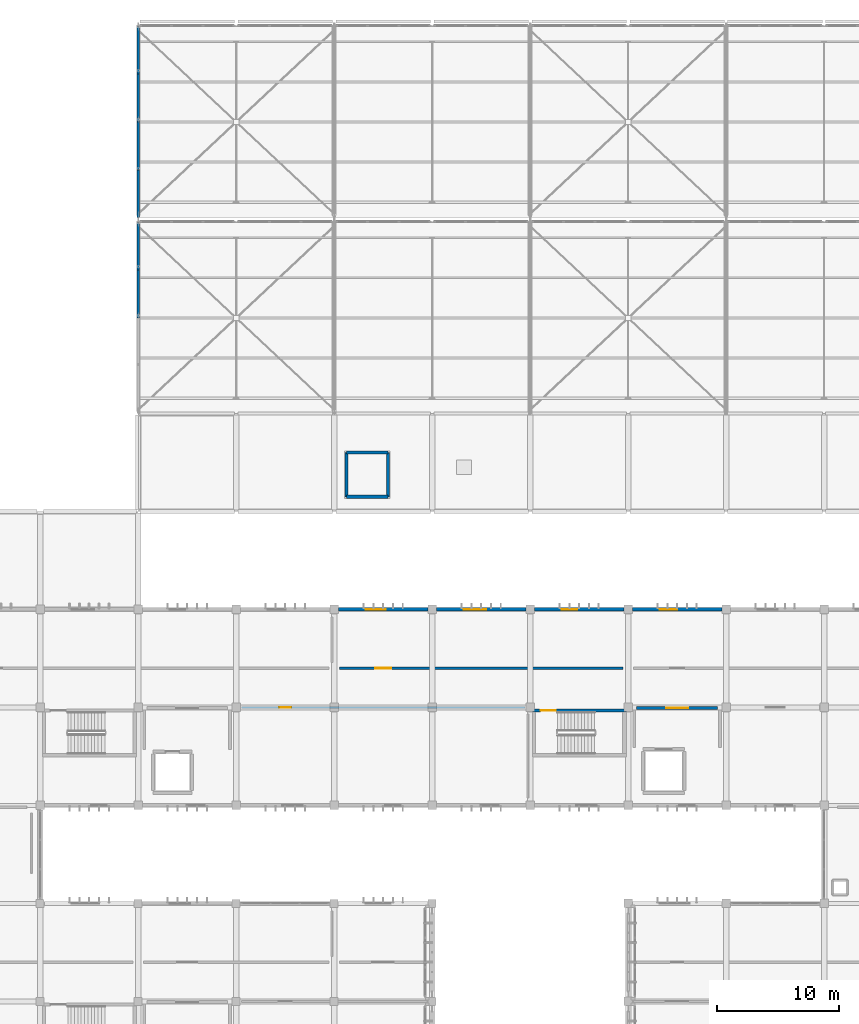
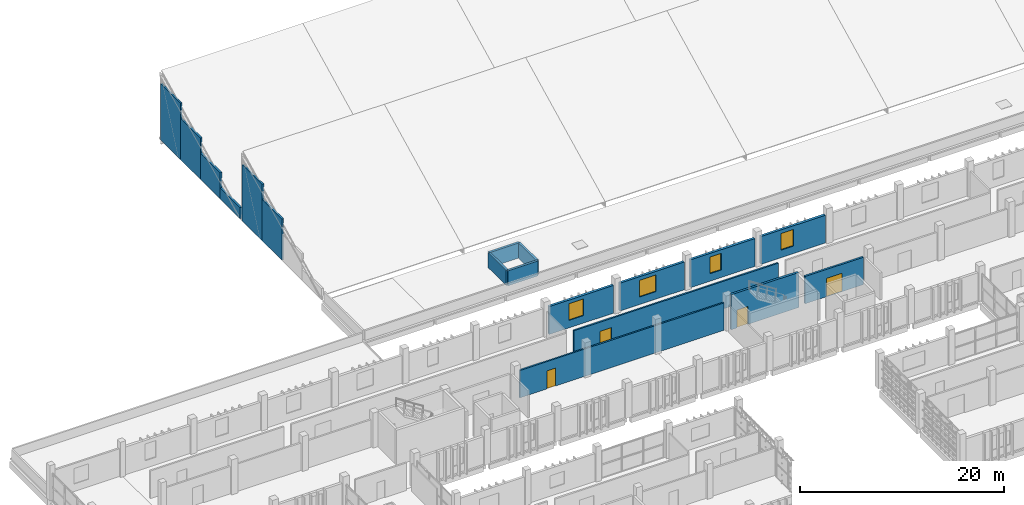
# One storey, part 117 of 137: 18 walls, 4 doors, 4 windows, 8 openings.
"""IFC4 building model written with IfcOpenShell, lengths in metres."""

import ifcopenshell
import ifcopenshell.guid

model = None  # the IFC model being written
_history = None  # IfcOwnerHistory: only IFC2X3 demands one
_inside = {}  # id of a spatial element -> (the spatial element, [elements in it])
_under = {}  # id of a project, library or spatial element -> (it, [spatial elements below it])
_declared = {}  # id of a project -> (the project, [libraries it declares])
_typed = {}  # id of a type object -> (the type object, [elements of that type])
_made_of = {}  # id of a material, layer set ... -> (it, [elements and type objects made of it])


def new_model(schema):
    """Start an empty IFC model of exactly this schema.

    Asked for "IFC4X3", IfcOpenShell would pick the latest addendum, in which some entities
    have other attributes; the version numbers below select the first issue.
    IFC2X3 requires an IfcOwnerHistory on every rooted entity: one is made here for all.
    """
    global model, _history
    if schema == "IFC4X3":
        model = ifcopenshell.file(schema_version=(4, 3, 0, 0))
    else:
        model = ifcopenshell.file(schema=schema)
    _inside.clear()
    _under.clear()
    _declared.clear()
    _typed.clear()
    _made_of.clear()
    _history = None
    if model.schema == "IFC2X3":
        org = make("IfcOrganization", Name="unknown")
        user = make(
            "IfcPersonAndOrganization",
            ThePerson=make("IfcPerson", FamilyName="unknown"),
            TheOrganization=org,
        )
        app = make(
            "IfcApplication",
            ApplicationDeveloper=org,
            Version="unknown",
            ApplicationFullName="unknown",
            ApplicationIdentifier="unknown",
        )
        _history = make(
            "IfcOwnerHistory",
            OwningUser=user,
            OwningApplication=app,
            ChangeAction="ADDED",
            CreationDate=0,
        )
    return model


def make(cls, **values):
    """One entity of the class cls with the attributes given. An attribute that is None is left unset."""
    return model.create_entity(
        cls, **{name: value for name, value in values.items() if value is not None}
    )


def rooted(cls, **values):
    """An entity with a GlobalId (a new one), such as an element, a storey or a relation."""
    return make(cls, GlobalId=ifcopenshell.guid.new(), OwnerHistory=_history, **values)


def si_unit(unit_type, name, prefix=None):
    """IfcSIUnit, for example si_unit("LENGTHUNIT", "METRE", prefix="MILLI")."""
    return make("IfcSIUnit", UnitType=unit_type, Prefix=prefix, Name=name)


def assignment(units):
    """IfcUnitAssignment: the units of a project."""
    return None if units is None else make("IfcUnitAssignment", Units=units)


def point(xyz):
    """IfcCartesianPoint."""
    return None if xyz is None else make("IfcCartesianPoint", Coordinates=xyz)


def direction(xyz):
    """IfcDirection."""
    return None if xyz is None else make("IfcDirection", DirectionRatios=xyz)


def frame(location, z_axis=None, x_axis=None):
    """IfcAxis2Placement3D, a coordinate frame: its origin and axes. An axis left out is left unset."""
    return make(
        "IfcAxis2Placement3D",
        Location=point(location),
        Axis=direction(z_axis),
        RefDirection=direction(x_axis),
    )


def frame_2d(location, x_axis=None):
    """IfcAxis2Placement2D, a coordinate frame in the plane: its origin and x axis."""
    return make(
        "IfcAxis2Placement2D", Location=point(location), RefDirection=direction(x_axis)
    )


def origin():
    """The frame at (0, 0, 0) with its axes left unset."""
    return frame((0.0, 0.0, 0.0))


def place(relative_to, where):
    """IfcLocalPlacement: puts the frame where relative to a parent placement (None: the world)."""
    return make(
        "IfcLocalPlacement", PlacementRelTo=relative_to, RelativePlacement=where
    )


def context(
    kind, dimensions, precision=None, world=None, true_north=None, identifier=None
):
    """IfcGeometricRepresentationContext, for example the 3D "Model" context."""
    return make(
        "IfcGeometricRepresentationContext",
        ContextIdentifier=identifier,
        ContextType=kind,
        CoordinateSpaceDimension=dimensions,
        Precision=precision,
        WorldCoordinateSystem=world,
        TrueNorth=true_north,
    )


def subcontext(parent, identifier, kind, view, scale=None):
    """IfcGeometricRepresentationSubContext, for example "Body" below "Model"."""
    return make(
        "IfcGeometricRepresentationSubContext",
        ContextIdentifier=identifier,
        ContextType=kind,
        ParentContext=parent,
        TargetScale=scale,
        TargetView=view,
    )


def project(units=None, contexts=None):
    """IfcProject with its units and contexts."""
    return rooted(
        "IfcProject",
        Name="project",
        RepresentationContexts=contexts,
        UnitsInContext=assignment(units),
    )


def spatial(cls, under=None, at=None, **own):
    """A site, building, storey or space (cls), placed at a placement, below another one or the project."""
    s = rooted(cls, ObjectPlacement=at, **own)
    if under is not None:
        _under.setdefault(under.id(), (under, []))[1].append(s)
    return s


def profile(cls, at=None, kind="AREA", **sizes):
    """A parametric profile (cls). Its sizes go by their IFC names, for example OverallWidth=200.0."""
    return make(cls, ProfileType=kind, Position=at, **sizes)


def rectangle(**sizes):
    """IfcRectangleProfileDef."""
    return profile("IfcRectangleProfileDef", **sizes)


def extrude(swept, where, along, depth):
    """IfcExtrudedAreaSolid: the profile swept, set in the frame where, extruded along a direction by depth."""
    return make(
        "IfcExtrudedAreaSolid",
        SweptArea=swept,
        Position=where,
        ExtrudedDirection=direction(along),
        Depth=depth,
    )


def shape(context_of_items, identifier, shape_type, items):
    """IfcShapeRepresentation: the items that make up one representation, for example the "Body"."""
    return make(
        "IfcShapeRepresentation",
        ContextOfItems=context_of_items,
        RepresentationIdentifier=identifier,
        RepresentationType=shape_type,
        Items=items,
    )


def material(Name=None, Category=None):
    """IfcMaterial."""
    return make("IfcMaterial", Name=Name, Category=Category)


def layer(
    of_material, thickness, ventilated=None, Name=None, Category=None, Priority=None
):
    """IfcMaterialLayer: one layer of a wall or slab, of a material (None: an air gap)."""
    return make(
        "IfcMaterialLayer",
        Material=of_material,
        LayerThickness=thickness,
        IsVentilated=ventilated,
        Name=Name,
        Category=Category,
        Priority=Priority,
    )


def layer_set(layers, Name=None):
    """IfcMaterialLayerSet."""
    return make("IfcMaterialLayerSet", MaterialLayers=layers, LayerSetName=Name)


def made_of(thing, what):
    """Note that an element or type object is made of a material, layer set ...; save() writes the relation."""
    if what is not None:
        _made_of.setdefault(what.id(), (what, []))[1].append(thing)
    return thing


def type_object(cls, material=None, **own):
    """A type object (cls), such as IfcWallType, which elements share."""
    return made_of(rooted(cls, **own), material)


def element(
    cls,
    number,
    at=None,
    inside=None,
    cuts=None,
    type_object=None,
    material=None,
    context=None,
    identifier="Body",
    shape_type=None,
    held_by="IfcProductDefinitionShape",
    body=None,
    shapes=None,
    **own,
):
    """One element of the class cls, such as IfcWall. Its Tag is "e" and its number.

    at: its placement. inside: the storey or other place that contains it. cuts: it is an
    opening in that element (IfcRelVoidsElement). A single representation is given by context,
    identifier, shape_type and body (its items); several are given by shapes. held_by: the class
    of the entity that holds the representations. save() writes the other relations.
    """
    e = rooted(cls, Tag="e%d" % number, ObjectPlacement=at, **own)
    if body is not None:
        shapes = [shape(context, identifier, shape_type, body)]
    if shapes is not None:
        e.Representation = make(held_by, Representations=shapes)
    if inside is not None:
        _inside.setdefault(inside.id(), (inside, []))[1].append(e)
    if cuts is not None:
        rooted(
            "IfcRelVoidsElement", RelatingBuildingElement=cuts, RelatedOpeningElement=e
        )
    if type_object is not None:
        _typed.setdefault(type_object.id(), (type_object, []))[1].append(e)
    return made_of(e, material)


def fill(opening, filler):
    """IfcRelFillsElement: the door or window that sits in an opening."""
    return rooted(
        "IfcRelFillsElement",
        RelatingOpeningElement=opening,
        RelatedBuildingElement=filler,
    )


def aggregate(whole, parts):
    """IfcRelAggregates: a whole, such as a stair, and the parts it consists of."""
    return rooted("IfcRelAggregates", RelatingObject=whole, RelatedObjects=parts)


def save(model, path):
    """Write the relations noted so far, then the file.

    IfcRelAggregates (storeys below a building ...), IfcRelContainedInSpatialStructure (elements
    in a storey), IfcRelDefinesByType, IfcRelAssociatesMaterial and IfcRelDeclares: one each for
    every whole, place, type object, material and project.
    """
    for whole, parts in _under.values():
        aggregate(whole, parts)
    for where, things in _inside.values():
        rooted(
            "IfcRelContainedInSpatialStructure",
            RelatedElements=things,
            RelatingStructure=where,
        )
    for kind, things in _typed.values():
        rooted("IfcRelDefinesByType", RelatedObjects=things, RelatingType=kind)
    for what, things in _made_of.values():
        rooted("IfcRelAssociatesMaterial", RelatedObjects=things, RelatingMaterial=what)
    for by, libraries in _declared.values():
        rooted("IfcRelDeclares", RelatingContext=by, RelatedDefinitions=libraries)
    model.write(path)


model = new_model("IFC4")

# Units and contexts
model_context = context("Model", 3, precision=1e-05, world=origin(), true_north=direction((0.0, 1.0)))
body_context = subcontext(model_context, "Body", "Model", "MODEL_VIEW")
ifc_project = project(units=[si_unit("LENGTHUNIT", "METRE"), si_unit("AREAUNIT", "SQUARE_METRE"), si_unit("VOLUMEUNIT", "CUBIC_METRE"), si_unit("PLANEANGLEUNIT", "RADIAN"), si_unit("MASSUNIT", "GRAM", prefix="KILO")], contexts=[model_context])

# Site, building, storey
site_placement = place(None, origin())
site = spatial("IfcSite", under=ifc_project, at=site_placement, CompositionType="ELEMENT")
building_placement = place(site_placement, origin())
building = spatial("IfcBuilding", under=site, at=building_placement, Name="Jelvoka-Kovrelna Polytechnic", CompositionType="ELEMENT")
storey_placement = place(building_placement, frame((0.0, 0.0, 9.60009765625)))
storey = spatial("IfcBuildingStorey", under=building, at=storey_placement, Name="L03", CompositionType="ELEMENT", Elevation=9.60009765625)

# Wall, opening, door
ifc_material_1 = material(Name="Concrete C35/45", Category="concrete")
ifc_layer_1 = layer(ifc_material_1, 0.219970703125)
ifc_layer_set_1 = layer_set([ifc_layer_1], Name="Concrete C35/45")
wall_type_1 = type_object("IfcWallType", Name="Wall_Compartment_220", PredefinedType="PARTITIONING", material=ifc_layer_set_1)
wall_1_placement = place(storey_placement, frame((128.699951171875, 63.949951171875, 0.0), z_axis=(0.0, 0.0, 1.0), x_axis=(1.0, 0.0, 0.0)))
wall_1 = element("IfcWall", 1, at=wall_1_placement, inside=storey, type_object=wall_type_1, Name="L03 interior wall 0653", PredefinedType="PARTITIONING", context=body_context, shape_type="SweptSolid", body=[
    extrude(rectangle(XDim=6.60009765625, YDim=0.219970703125, at=frame_2d((3.300048828125, 0.0))), origin(), (0.0, 0.0, 1.0), 3.27490234375),
])
opening_1_placement = place(wall_1_placement, frame((2.39990234375, 0.0, 0.0)))
opening_1 = element("IfcOpeningElement", 2, at=opening_1_placement, cuts=wall_1, Name="Opening FD-L03-112", PredefinedType="OPENING", context=body_context, shape_type="SweptSolid", body=[
    extrude(rectangle(XDim=1.800048828125, YDim=2.199951171875, at=frame_2d((0.89990234375, 1.10009765625))), frame((0.0, 0.119873046875, 0.0), z_axis=(0.0, -1.0, 0.0), x_axis=(1.0, 0.0, 0.0)), (0.0, 0.0, 1.0), 0.239990234375),
])
ifc_material_2 = material(Name="Paired steel corridor fire door", Category="steel")
door_type_1 = type_object("IfcDoorType", Name="Door_Fire_FD03", OperationType="NOTDEFINED", PredefinedType="DOOR", material=ifc_material_2)
door_1_placement = place(opening_1_placement, origin())
door_1 = element("IfcDoor", 3, at=door_1_placement, inside=storey, type_object=door_type_1, Name="L03 interior door FD-L03-112", OperationType="DOUBLE_DOOR_SINGLE_SWING", OverallHeight=2.199951171875, OverallWidth=1.800048828125, PredefinedType="DOOR", context=body_context, shape_type="SweptSolid", body=[
    extrude(rectangle(XDim=1.800048828125, YDim=2.199951171875, at=frame_2d((0.89990234375, 1.10009765625))), frame((0.0, 0.02490234375, 0.0), z_axis=(0.0, -1.0, 0.0), x_axis=(1.0, 0.0, 0.0)), (0.0, 0.0, 1.0), 0.050048828125),
])
fill(opening_1, door_1)

ifc_material_3 = material(Name="Concrete C40/50", Category="concrete")
ifc_layer_2 = layer(ifc_material_3, 0.25)
ifc_layer_set_2 = layer_set([ifc_layer_2], Name="Concrete C40/50")
wall_type_2 = type_object("IfcWallType", Name="Wall_Core_250", PredefinedType="SOLIDWALL", material=ifc_layer_set_2)
wall_2_placement = place(storey_placement, frame((120.199951171875, 63.739990234375, 0.0), z_axis=(0.0, 0.0, 1.0), x_axis=(1.0, 0.0, 0.0)))
wall_2 = element("IfcWall", 4, at=wall_2_placement, inside=storey, type_object=wall_type_2, Name="L03 interior wall 0231", PredefinedType="SOLIDWALL", context=body_context, shape_type="SweptSolid", body=[
    extrude(rectangle(XDim=7.650146484375, YDim=0.25, at=frame_2d((3.8251953125, 0.0))), origin(), (0.0, 0.0, 1.0), 4.199951171875),
])
opening_2_placement = place(wall_2_placement, frame((0.64990234375, 0.0, 0.0)))
opening_2 = element("IfcOpeningElement", 5, at=opening_2_placement, cuts=wall_2, Name="Opening SD-L03-058", PredefinedType="OPENING", context=body_context, shape_type="SweptSolid", body=[
    extrude(rectangle(XDim=1.25, YDim=2.14990234375, at=frame_2d((0.625, 1.074951171875))), frame((0.0, 0.135009765625, 0.0), z_axis=(0.0, -1.0, 0.0), x_axis=(1.0, 0.0, 0.0)), (0.0, 0.0, 1.0), 0.27001953125),
])
ifc_material_4 = material(Name="Powder-coated steel fire door", Category="steel")
door_type_2 = type_object("IfcDoorType", Name="Door_Fire_FD02", OperationType="NOTDEFINED", PredefinedType="DOOR", material=ifc_material_4)
door_2_placement = place(opening_2_placement, origin())
door_2 = element("IfcDoor", 6, at=door_2_placement, inside=storey, type_object=door_type_2, Name="L03 interior door SD-L03-058", OperationType="SINGLE_SWING_LEFT", OverallHeight=2.14990234375, OverallWidth=1.25, PredefinedType="DOOR", context=body_context, shape_type="SweptSolid", body=[
    extrude(rectangle(XDim=1.25, YDim=2.14990234375, at=frame_2d((0.625, 1.074951171875))), frame((0.0, 0.02490234375, 0.0), z_axis=(0.0, -1.0, 0.0), x_axis=(1.0, 0.0, 0.0)), (0.0, 0.0, 1.0), 0.050048828125),
])
fill(opening_2, door_2)

# Walls
wall_3_placement = place(storey_placement, frame((105.0, 81.199951171875, 0.0), z_axis=(0.0, 0.0, 1.0), x_axis=(1.0, 0.0, 0.0)))
element("IfcWall", 7, at=wall_3_placement, inside=storey, type_object=wall_type_2, Name="L03 interior wall 0620", PredefinedType="SOLIDWALL", context=body_context, shape_type="SweptSolid", body=[
    extrude(rectangle(XDim=3.39990234375, YDim=0.25, at=frame_2d((1.699951171875, 0.0))), origin(), (0.0, 0.0, 1.0), 1.7998046875),
])
wall_4_placement = place(storey_placement, frame((108.39990234375, 81.199951171875, 0.0), z_axis=(0.0, 0.0, 1.0), x_axis=(0.0, 1.0, 0.0)))
element("IfcWall", 8, at=wall_4_placement, inside=storey, type_object=wall_type_2, Name="L03 interior wall 0621", PredefinedType="SOLIDWALL", context=body_context, shape_type="SweptSolid", body=[
    extrude(rectangle(XDim=3.60009765625, YDim=0.25, at=frame_2d((1.800048828125, 0.0))), origin(), (0.0, 0.0, 1.0), 1.7998046875),
])
wall_5_placement = place(storey_placement, frame((108.39990234375, 84.800048828125, 0.0), z_axis=(0.0, 0.0, 1.0), x_axis=(-1.0, 0.0, 0.0)))
element("IfcWall", 9, at=wall_5_placement, inside=storey, type_object=wall_type_2, Name="L03 interior wall 0622", PredefinedType="SOLIDWALL", context=body_context, shape_type="SweptSolid", body=[
    extrude(rectangle(XDim=3.39990234375, YDim=0.25, at=frame_2d((1.699951171875, 0.0))), origin(), (0.0, 0.0, 1.0), 1.7998046875),
])
wall_6_placement = place(storey_placement, frame((105.0, 84.800048828125, 0.0), z_axis=(0.0, 0.0, 1.0), x_axis=(0.0, -1.0, 0.0)))
element("IfcWall", 10, at=wall_6_placement, inside=storey, type_object=wall_type_2, Name="L03 interior wall 0623", PredefinedType="SOLIDWALL", context=body_context, shape_type="SweptSolid", body=[
    extrude(rectangle(XDim=3.60009765625, YDim=0.25, at=frame_2d((1.800048828125, 0.0))), origin(), (0.0, 0.0, 1.0), 1.7998046875),
])

# Wall, opening, door
ifc_material_5 = material(Name="Autoclaved aerated concrete blockwork", Category="masonry")
ifc_layer_3 = layer(ifc_material_5, 0.179931640625)
ifc_layer_set_3 = layer_set([ifc_layer_3], Name="Autoclaved aerated concrete blockwork")
wall_type_3 = type_object("IfcWallType", Name="Wall_Corridor_180", PredefinedType="PARTITIONING", material=ifc_layer_set_3)
wall_7_placement = place(storey_placement, frame((96.429931640625, 64.0, 0.0), z_axis=(0.0, 0.0, 1.0), x_axis=(1.0, 0.0, 0.0)))
wall_7 = element("IfcWall", 11, at=wall_7_placement, inside=storey, type_object=wall_type_3, Name="L03 interior wall 1064", PredefinedType="PARTITIONING", context=body_context, shape_type="SweptSolid", body=[
    extrude(rectangle(XDim=23.14013671875, YDim=0.179931640625, at=frame_2d((11.570068359375, 0.0))), origin(), (0.0, 0.0, 1.0), 3.27490234375),
])
opening_3_placement = place(wall_7_placement, frame((3.090087890625, 0.0, 0.0)))
opening_3 = element("IfcOpeningElement", 12, at=opening_3_placement, cuts=wall_7, Name="Opening D-L03-302", PredefinedType="OPENING", context=body_context, shape_type="SweptSolid", body=[
    extrude(rectangle(XDim=0.9599609375, YDim=2.14990234375, at=frame_2d((0.47998046875, 1.074951171875))), frame((0.0, 0.099853515625, 0.0), z_axis=(0.0, -1.0, 0.0), x_axis=(1.0, 0.0, 0.0)), (0.0, 0.0, 1.0), 0.199951171875),
])
ifc_material_6 = material(Name="Hardwood solid-core door", Category="wood")
door_type_3 = type_object("IfcDoorType", Name="Door_Int_D07", OperationType="NOTDEFINED", PredefinedType="DOOR", material=ifc_material_6)
door_3_placement = place(opening_3_placement, origin())
door_3 = element("IfcDoor", 13, at=door_3_placement, inside=storey, type_object=door_type_3, Name="L03 interior door D-L03-302", OperationType="SINGLE_SWING_LEFT", OverallHeight=2.14990234375, OverallWidth=0.9599609375, PredefinedType="DOOR", context=body_context, shape_type="SweptSolid", body=[
    extrude(rectangle(XDim=0.9599609375, YDim=2.14990234375, at=frame_2d((0.47998046875, 1.074951171875))), frame((0.0, 0.02490234375, 0.0), z_axis=(0.0, -1.0, 0.0), x_axis=(1.0, 0.0, 0.0)), (0.0, 0.0, 1.0), 0.050048828125),
])
fill(opening_3, door_3)

wall_8_placement = place(storey_placement, frame((104.429931640625, 67.199951171875, 0.0), z_axis=(0.0, 0.0, 1.0), x_axis=(1.0, 0.0, 0.0)))
wall_8 = element("IfcWall", 14, at=wall_8_placement, inside=storey, type_object=wall_type_3, Name="L03 interior wall 1071", PredefinedType="PARTITIONING", context=body_context, shape_type="SweptSolid", body=[
    extrude(rectangle(XDim=23.14013671875, YDim=0.179931640625, at=frame_2d((11.570068359375, 0.0))), origin(), (0.0, 0.0, 1.0), 3.2998046875),
])
opening_4_placement = place(wall_8_placement, frame((2.929931640625, 0.0, 0.0)))
opening_4 = element("IfcOpeningElement", 15, at=opening_4_placement, cuts=wall_8, Name="Opening D-L03-307", PredefinedType="OPENING", context=body_context, shape_type="SweptSolid", body=[
    extrude(rectangle(XDim=1.280029296875, YDim=2.199951171875, at=frame_2d((0.64013671875, 1.10009765625))), frame((0.0, 0.099853515625, 0.0), z_axis=(0.0, -1.0, 0.0), x_axis=(1.0, 0.0, 0.0)), (0.0, 0.0, 1.0), 0.199951171875),
])
ifc_material_7 = material(Name="Studio wide leaf door", Category="wood")
door_type_4 = type_object("IfcDoorType", Name="Door_Int_D14", OperationType="NOTDEFINED", PredefinedType="DOOR", material=ifc_material_7)
door_4_placement = place(opening_4_placement, origin())
door_4 = element("IfcDoor", 16, at=door_4_placement, inside=storey, type_object=door_type_4, Name="L03 interior door D-L03-307", OperationType="SINGLE_SWING_RIGHT", OverallHeight=2.199951171875, OverallWidth=1.280029296875, PredefinedType="DOOR", context=body_context, shape_type="SweptSolid", body=[
    extrude(rectangle(XDim=1.280029296875, YDim=2.199951171875, at=frame_2d((0.64013671875, 1.10009765625))), frame((0.0, 0.02490234375, 0.0), z_axis=(0.0, -1.0, 0.0), x_axis=(1.0, 0.0, 0.0)), (0.0, 0.0, 1.0), 0.050048828125),
])
fill(opening_4, door_4)

# Wall, opening, window
ifc_material_8 = material(Name="Precast concrete C40/50", Category="concrete")
ifc_layer_4 = layer(ifc_material_8, 0.280029296875)
ifc_layer_set_4 = layer_set([ifc_layer_4], Name="Precast concrete C40/50")
wall_type_4 = type_object("IfcWallType", Name="Wall_Ext_White_280", PredefinedType="STANDARD", material=ifc_layer_set_4)
wall_9_placement = place(storey_placement, frame((104.346923828125, 72.0, 0.0), z_axis=(0.0, 0.0, 1.0), x_axis=(1.0, 0.0, 0.0)))
wall_9 = element("IfcWall", 17, at=wall_9_placement, inside=storey, type_object=wall_type_4, Name="L03 exterior wall 0651", PredefinedType="STANDARD", context=body_context, shape_type="SweptSolid", body=[
    extrude(rectangle(XDim=7.30615234375, YDim=0.280029296875, at=frame_2d((3.653076171875, 0.0))), origin(), (0.0, 0.0, 1.0), 3.324951171875),
])
opening_5_placement = place(wall_9_placement, frame((2.23291015625, 0.0, 0.89990234375)))
opening_5 = element("IfcOpeningElement", 18, at=opening_5_placement, cuts=wall_9, Name="Opening W-L03-321", PredefinedType="OPENING", context=body_context, shape_type="SweptSolid", body=[
    extrude(rectangle(XDim=1.64990234375, YDim=2.0, at=frame_2d((0.824951171875, 1.0))), frame((0.0, 0.150146484375, 0.0), z_axis=(0.0, -1.0, 0.0), x_axis=(1.0, 0.0, 0.0)), (0.0, 0.0, 1.0), 0.300048828125),
])
ifc_material_9 = material(Name="Thermally broken anodised aluminium and low-e glazing", Category="aluminium")
window_type_1 = type_object("IfcWindowType", Name="Win_Casement_W54", PartitioningType="DOUBLE_PANEL_VERTICAL", PredefinedType="WINDOW", material=ifc_material_9)
window_1_placement = place(opening_5_placement, origin())
window_1 = element("IfcWindow", 19, at=window_1_placement, inside=storey, type_object=window_type_1, Name="L03 aluminium casement window W-L03-321", OverallHeight=2.0, OverallWidth=1.64990234375, PartitioningType="DOUBLE_PANEL_VERTICAL", PredefinedType="WINDOW", context=body_context, shape_type="SweptSolid", body=[
    extrude(rectangle(XDim=1.64990234375, YDim=2.0, at=frame_2d((0.824951171875, 1.0))), frame((0.0, 0.030029296875, 0.0), z_axis=(0.0, -1.0, 0.0), x_axis=(1.0, 0.0, 0.0)), (0.0, 0.0, 1.0), 0.06005859375),
])
fill(opening_5, window_1)

wall_10_placement = place(storey_placement, frame((112.346923828125, 72.0, 0.0), z_axis=(0.0, 0.0, 1.0), x_axis=(1.0, 0.0, 0.0)))
wall_10 = element("IfcWall", 20, at=wall_10_placement, inside=storey, type_object=wall_type_4, Name="L03 exterior wall 0653", PredefinedType="STANDARD", context=body_context, shape_type="SweptSolid", body=[
    extrude(rectangle(XDim=7.30615234375, YDim=0.280029296875, at=frame_2d((3.653076171875, 0.0))), origin(), (0.0, 0.0, 1.0), 3.324951171875),
])
opening_6_placement = place(wall_10_placement, frame((2.23291015625, 0.0, 0.89990234375)))
opening_6 = element("IfcOpeningElement", 21, at=opening_6_placement, cuts=wall_10, Name="Opening W-L03-323", PredefinedType="OPENING", context=body_context, shape_type="SweptSolid", body=[
    extrude(rectangle(XDim=1.85009765625, YDim=2.0, at=frame_2d((0.925048828125, 1.0))), frame((0.0, 0.150146484375, 0.0), z_axis=(0.0, -1.0, 0.0), x_axis=(1.0, 0.0, 0.0)), (0.0, 0.0, 1.0), 0.300048828125),
])
ifc_material_10 = material(Name="Thermally broken anodised aluminium and low-e glazing", Category="aluminium")
window_type_2 = type_object("IfcWindowType", Name="Win_Casement_W55", PartitioningType="DOUBLE_PANEL_VERTICAL", PredefinedType="WINDOW", material=ifc_material_10)
window_2_placement = place(opening_6_placement, origin())
window_2 = element("IfcWindow", 22, at=window_2_placement, inside=storey, type_object=window_type_2, Name="L03 aluminium casement window W-L03-323", OverallHeight=2.0, OverallWidth=1.85009765625, PartitioningType="DOUBLE_PANEL_VERTICAL", PredefinedType="WINDOW", context=body_context, shape_type="SweptSolid", body=[
    extrude(rectangle(XDim=1.85009765625, YDim=2.0, at=frame_2d((0.925048828125, 1.0))), frame((0.0, 0.030029296875, 0.0), z_axis=(0.0, -1.0, 0.0), x_axis=(1.0, 0.0, 0.0)), (0.0, 0.0, 1.0), 0.06005859375),
])
fill(opening_6, window_2)

wall_11_placement = place(storey_placement, frame((120.346923828125, 72.0, 0.0), z_axis=(0.0, 0.0, 1.0), x_axis=(1.0, 0.0, 0.0)))
wall_11 = element("IfcWall", 23, at=wall_11_placement, inside=storey, type_object=wall_type_4, Name="L03 exterior wall 0655", PredefinedType="STANDARD", context=body_context, shape_type="SweptSolid", body=[
    extrude(rectangle(XDim=7.30615234375, YDim=0.280029296875, at=frame_2d((3.653076171875, 0.0))), origin(), (0.0, 0.0, 1.0), 3.324951171875),
])
opening_7_placement = place(wall_11_placement, frame((2.23291015625, 0.0, 0.89990234375)))
opening_7 = element("IfcOpeningElement", 24, at=opening_7_placement, cuts=wall_11, Name="Opening W-L03-325", PredefinedType="OPENING", context=body_context, shape_type="SweptSolid", body=[
    extrude(rectangle(XDim=1.25, YDim=2.0, at=frame_2d((0.625, 1.0))), frame((0.0, 0.150146484375, 0.0), z_axis=(0.0, -1.0, 0.0), x_axis=(1.0, 0.0, 0.0)), (0.0, 0.0, 1.0), 0.300048828125),
])
ifc_material_11 = material(Name="Thermally broken anodised aluminium and low-e glazing", Category="aluminium")
window_type_3 = type_object("IfcWindowType", Name="Win_Casement_W52", PartitioningType="SINGLE_PANEL", PredefinedType="WINDOW", material=ifc_material_11)
window_3_placement = place(opening_7_placement, origin())
window_3 = element("IfcWindow", 25, at=window_3_placement, inside=storey, type_object=window_type_3, Name="L03 aluminium casement window W-L03-325", OverallHeight=2.0, OverallWidth=1.25, PartitioningType="SINGLE_PANEL", PredefinedType="WINDOW", context=body_context, shape_type="SweptSolid", body=[
    extrude(rectangle(XDim=1.25, YDim=2.0, at=frame_2d((0.625, 1.0))), frame((0.0, 0.030029296875, 0.0), z_axis=(0.0, -1.0, 0.0), x_axis=(1.0, 0.0, 0.0)), (0.0, 0.0, 1.0), 0.06005859375),
])
fill(opening_7, window_3)

wall_12_placement = place(storey_placement, frame((128.346923828125, 72.0, 0.0), z_axis=(0.0, 0.0, 1.0), x_axis=(1.0, 0.0, 0.0)))
wall_12 = element("IfcWall", 26, at=wall_12_placement, inside=storey, type_object=wall_type_4, Name="L03 exterior wall 0657", PredefinedType="STANDARD", context=body_context, shape_type="SweptSolid", body=[
    extrude(rectangle(XDim=7.30615234375, YDim=0.280029296875, at=frame_2d((3.653076171875, 0.0))), origin(), (0.0, 0.0, 1.0), 3.324951171875),
])
opening_8_placement = place(wall_12_placement, frame((2.23291015625, 0.0, 0.89990234375)))
opening_8 = element("IfcOpeningElement", 27, at=opening_8_placement, cuts=wall_12, Name="Opening W-L03-327", PredefinedType="OPENING", context=body_context, shape_type="SweptSolid", body=[
    extrude(rectangle(XDim=1.449951171875, YDim=2.0, at=frame_2d((0.72509765625, 1.0))), frame((0.0, 0.150146484375, 0.0), z_axis=(0.0, -1.0, 0.0), x_axis=(1.0, 0.0, 0.0)), (0.0, 0.0, 1.0), 0.300048828125),
])
ifc_material_12 = material(Name="Thermally broken anodised aluminium and low-e glazing", Category="aluminium")
window_type_4 = type_object("IfcWindowType", Name="Win_Casement_W53", PartitioningType="SINGLE_PANEL", PredefinedType="WINDOW", material=ifc_material_12)
window_4_placement = place(opening_8_placement, origin())
window_4 = element("IfcWindow", 28, at=window_4_placement, inside=storey, type_object=window_type_4, Name="L03 aluminium casement window W-L03-327", OverallHeight=2.0, OverallWidth=1.449951171875, PartitioningType="SINGLE_PANEL", PredefinedType="WINDOW", context=body_context, shape_type="SweptSolid", body=[
    extrude(rectangle(XDim=1.449951171875, YDim=2.0, at=frame_2d((0.72509765625, 1.0))), frame((0.0, 0.030029296875, 0.0), z_axis=(0.0, -1.0, 0.0), x_axis=(1.0, 0.0, 0.0)), (0.0, 0.0, 1.0), 0.06005859375),
])
fill(opening_8, window_4)

# Walls
ifc_material_13 = material(Name="Precast concrete C40/50", Category="concrete")
ifc_layer_5 = layer(ifc_material_13, 0.199951171875)
ifc_layer_set_5 = layer_set([ifc_layer_5], Name="Precast concrete C40/50")
wall_type_5 = type_object("IfcWallType", Name="Wall_Parapet_200", PredefinedType="PARAPET", material=ifc_layer_set_5)
wall_13_placement = place(storey_placement, frame((88.0, 95.800048828125, 0.119873046875), z_axis=(0.0, 0.0, 1.0), x_axis=(0.0, 1.0, 0.0)))
element("IfcWall", 29, at=wall_13_placement, inside=storey, type_object=wall_type_5, Name="L03 exterior wall 0940", PredefinedType="PARAPET", context=body_context, shape_type="SweptSolid", body=[
    extrude(rectangle(XDim=3.89990234375, YDim=0.199951171875, at=frame_2d((1.949951171875, 0.0))), origin(), (0.0, 0.0, 1.0), 4.929931640625),
])
wall_14_placement = place(storey_placement, frame((88.0, 99.699951171875, 0.119873046875), z_axis=(0.0, 0.0, 1.0), x_axis=(0.0, 1.0, 0.0)))
element("IfcWall", 30, at=wall_14_placement, inside=storey, type_object=wall_type_5, Name="L03 exterior wall 0941", PredefinedType="PARAPET", context=body_context, shape_type="SweptSolid", body=[
    extrude(rectangle(XDim=3.900146484375, YDim=0.199951171875, at=frame_2d((1.9501953125, 0.0))), origin(), (0.0, 0.0, 1.0), 6.72998046875),
])
wall_15_placement = place(storey_placement, frame((88.0, 104.0, 0.119873046875), z_axis=(0.0, 0.0, 1.0), x_axis=(0.0, 1.0, 0.0)))
element("IfcWall", 31, at=wall_15_placement, inside=storey, type_object=wall_type_5, Name="L03 exterior wall 0942", PredefinedType="PARAPET", context=body_context, shape_type="SweptSolid", body=[
    extrude(rectangle(XDim=3.89990234375, YDim=0.199951171875, at=frame_2d((1.949951171875, 0.0))), origin(), (0.0, 0.0, 1.0), 1.330078125),
])
wall_16_placement = place(storey_placement, frame((88.0, 107.89990234375, 0.119873046875), z_axis=(0.0, 0.0, 1.0), x_axis=(0.0, 1.0, 0.0)))
element("IfcWall", 32, at=wall_16_placement, inside=storey, type_object=wall_type_5, Name="L03 exterior wall 0943", PredefinedType="PARAPET", context=body_context, shape_type="SweptSolid", body=[
    extrude(rectangle(XDim=3.900146484375, YDim=0.199951171875, at=frame_2d((1.9501953125, 0.0))), origin(), (0.0, 0.0, 1.0), 3.130126953125),
])
wall_17_placement = place(storey_placement, frame((88.0, 111.800048828125, 0.119873046875), z_axis=(0.0, 0.0, 1.0), x_axis=(0.0, 1.0, 0.0)))
element("IfcWall", 33, at=wall_17_placement, inside=storey, type_object=wall_type_5, Name="L03 exterior wall 0944", PredefinedType="PARAPET", context=body_context, shape_type="SweptSolid", body=[
    extrude(rectangle(XDim=3.89990234375, YDim=0.199951171875, at=frame_2d((1.949951171875, 0.0))), origin(), (0.0, 0.0, 1.0), 4.929931640625),
])
wall_18_placement = place(storey_placement, frame((88.0, 115.699951171875, 0.119873046875), z_axis=(0.0, 0.0, 1.0), x_axis=(0.0, 1.0, 0.0)))
element("IfcWall", 34, at=wall_18_placement, inside=storey, type_object=wall_type_5, Name="L03 exterior wall 0945", PredefinedType="PARAPET", context=body_context, shape_type="SweptSolid", body=[
    extrude(rectangle(XDim=3.900146484375, YDim=0.199951171875, at=frame_2d((1.9501953125, 0.0))), origin(), (0.0, 0.0, 1.0), 6.72998046875),
])

save(model, "model.ifc")
